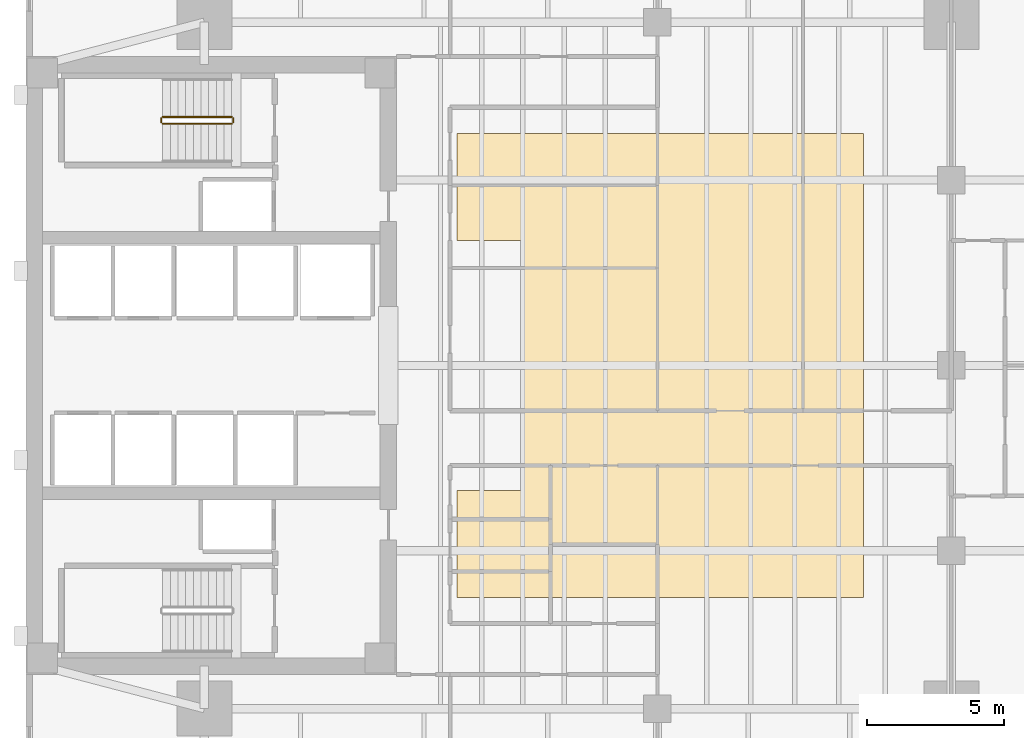
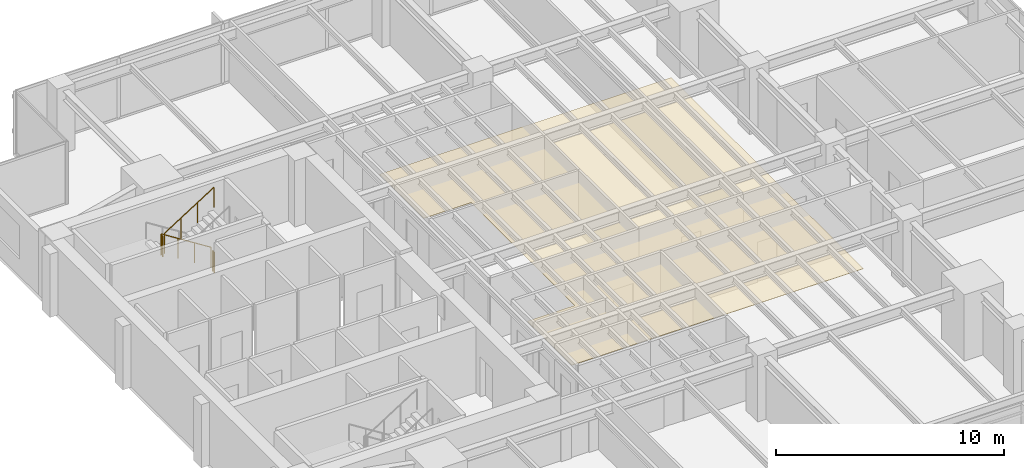
# One storey, part 14 of 15: 4 railings, 1 covering.
"""IFC4 building model written with IfcOpenShell, lengths in metres."""

from ifc_helpers import new_model, si_unit, direction, frame, origin, origin_2d, place, context, subcontext, project, spatial, polyline, circle, outline, extrude, material, layer, layer_set, type_object, element, save


model = new_model("IFC4")

# Units and contexts
model_context = context("Model", 3, precision=1e-05, world=origin(), true_north=direction((0.0, 1.0)))
body_context = subcontext(model_context, "Body", "Model", "MODEL_VIEW")
ifc_project = project(units=[si_unit("LENGTHUNIT", "METRE"), si_unit("AREAUNIT", "SQUARE_METRE"), si_unit("VOLUMEUNIT", "CUBIC_METRE"), si_unit("PLANEANGLEUNIT", "RADIAN"), si_unit("MASSUNIT", "GRAM", prefix="KILO")], contexts=[model_context])

# Site, building, storey
site_placement = place(None, origin())
site = spatial("IfcSite", under=ifc_project, at=site_placement, CompositionType="ELEMENT")
building_placement = place(site_placement, origin())
building = spatial("IfcBuilding", under=site, at=building_placement, Name="Kinhvarn Gate Tower", CompositionType="ELEMENT")
storey_placement = place(building_placement, frame((0.0, 0.0, 169.699951171875)))
storey = spatial("IfcBuildingStorey", under=building, at=storey_placement, Name="L45", CompositionType="ELEMENT", Elevation=169.699951171875)

# Covering
ifc_material_1 = material(Name="Mineral-fibre acoustic ceiling tile")
ifc_layer = layer(ifc_material_1, 0.02001953125)
ifc_layer_set = layer_set([ifc_layer], Name="Mineral-fibre acoustic ceiling tile")
covering_type = type_object("IfcCoveringType", Name="COV-CEIL-20", PredefinedType="CEILING", material=ifc_layer_set)
covering_placement = place(storey_placement, frame((0.0, 0.0, 2.650146484375)))
element("IfcCovering", 1, at=covering_placement, inside=storey, type_object=covering_type, Name="Suspended Acoustic Ceiling Tile (L45-1)", PredefinedType="CEILING", context=body_context, shape_type="SweptSolid", body=[
    extrude(outline(polyline([(35.0, 33.699951171875), (35.0, 16.800048828125), (20.199951171875, 16.800048828125), (20.199951171875, 20.699951171875), (22.60009765625, 20.699951171875), (22.60009765625, 29.800048828125), (20.199951171875, 29.800048828125), (20.199951171875, 33.699951171875), (35.0, 33.699951171875)])), origin(), (0.0, 0.0, 1.0), 0.02001953125),
])

# Railings
ifc_material_2 = material(Name="Steel S355", Category="steel")
railing_type = type_object("IfcRailingType", Name="RL-ST-GRD", PredefinedType="BALUSTRADE", material=ifc_material_2)
railing_1_placement = place(storey_placement, frame((12.0, 34.300048828125, 0.177490234375)))
element("IfcRailing", 2, at=railing_1_placement, inside=storey, type_object=railing_type, Name="L45 ST2 stair guard 1", PredefinedType="BALUSTRADE", context=body_context, shape_type="SweptSolid", body=[
    extrude(circle(Radius=0.02392578125, at=origin_2d()), frame((0.0, 0.0, 1.076171875), z_axis=(-0.84456994832, 0.0, 0.535445237532), x_axis=(0.0, -1.0, 0.0)), (0.0, 0.0, 1.0), 2.98388671875),
    extrude(circle(Radius=0.02099609375, at=origin_2d()), origin(), (0.0, 0.0, 1.0), 1.052001953125),
    extrude(circle(Radius=0.02099609375, at=origin_2d()), frame((-0.840087890625, 0.0, 0.532470703125)), (0.0, 0.0, 1.0), 1.052001953125),
    extrude(circle(Radius=0.02099609375, at=origin_2d()), frame((-1.679931640625, 0.0, 1.065185546875)), (0.0, 0.0, 1.0), 1.052001953125),
    extrude(circle(Radius=0.02099609375, at=origin_2d()), frame((-2.52001953125, 0.0, 1.59765625)), (0.0, 0.0, 1.0), 1.052001953125),
])
railing_2_placement = place(storey_placement, frame((9.429931640625, 34.25, 1.775146484375)))
element("IfcRailing", 3, at=railing_2_placement, inside=storey, type_object=railing_type, Name="L45 ST2 stair guard 2", PredefinedType="BALUSTRADE", context=body_context, shape_type="SweptSolid", body=[
    extrude(circle(Radius=0.02392578125, at=origin_2d()), frame((0.0, 0.0, 1.076171875), z_axis=(0.0, -1.0, 0.0), x_axis=(1.0, 0.0, 0.0)), (0.0, 0.0, 1.0), 0.14990234375),
    extrude(circle(Radius=0.02099609375, at=origin_2d()), origin(), (0.0, 0.0, 1.0), 1.052001953125),
    extrude(circle(Radius=0.02099609375, at=origin_2d()), frame((0.0, -0.14990234375, 0.0)), (0.0, 0.0, 1.0), 1.052001953125),
])
railing_3_placement = place(storey_placement, frame((9.47998046875, 34.050048828125, 1.95263671875)))
element("IfcRailing", 4, at=railing_3_placement, inside=storey, type_object=railing_type, Name="L45 ST2 stair guard 3", PredefinedType="BALUSTRADE", context=body_context, shape_type="SweptSolid", body=[
    extrude(circle(Radius=0.02392578125, at=origin_2d()), frame((0.0, 0.0, 1.076171875), z_axis=(0.84460694969, 0.0, 0.535386869969), x_axis=(0.0, 1.0, 0.0)), (0.0, 0.0, 1.0), 2.983642578125),
    extrude(circle(Radius=0.02099609375, at=origin_2d()), origin(), (0.0, 0.0, 1.0), 1.052001953125),
    extrude(circle(Radius=0.02099609375, at=origin_2d()), frame((0.840087890625, 0.0, 0.532470703125)), (0.0, 0.0, 1.0), 1.052001953125),
    extrude(circle(Radius=0.02099609375, at=origin_2d()), frame((1.679931640625, 0.0, 1.06494140625)), (0.0, 0.0, 1.0), 1.052001953125),
    extrude(circle(Radius=0.02099609375, at=origin_2d()), frame((2.52001953125, 0.0, 1.597412109375)), (0.0, 0.0, 1.0), 1.052001953125),
])
railing_4_placement = place(storey_placement, frame((12.050048828125, 34.25, 0.0)))
element("IfcRailing", 5, at=railing_4_placement, inside=storey, type_object=railing_type, Name="L45 ST2 stair guard 4", PredefinedType="BALUSTRADE", context=body_context, shape_type="SweptSolid", body=[
    extrude(circle(Radius=0.02392578125, at=origin_2d()), frame((0.0, 0.0, 1.076171875), z_axis=(0.0, -1.0, 0.0), x_axis=(1.0, 0.0, 0.0)), (0.0, 0.0, 1.0), 0.14990234375),
    extrude(circle(Radius=0.02099609375, at=origin_2d()), origin(), (0.0, 0.0, 1.0), 1.052001953125),
    extrude(circle(Radius=0.02099609375, at=origin_2d()), frame((0.0, -0.14990234375, 0.0)), (0.0, 0.0, 1.0), 1.052001953125),
])

save(model, "model.ifc")
